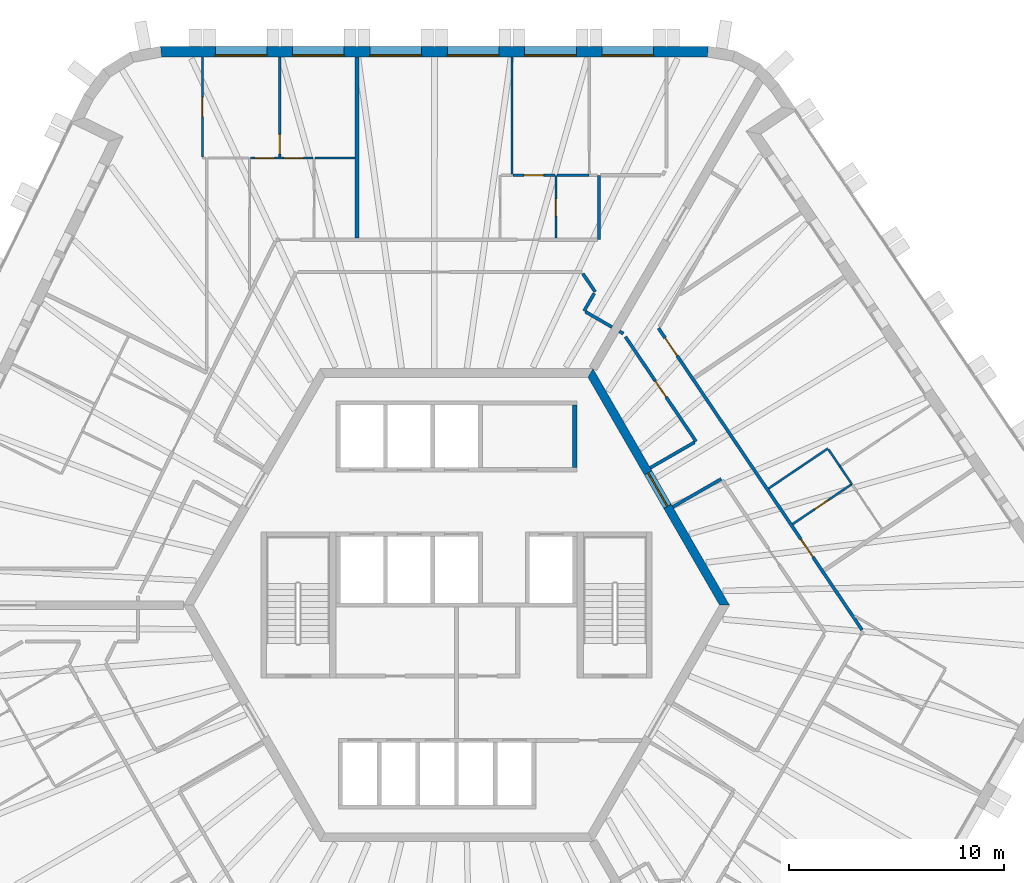
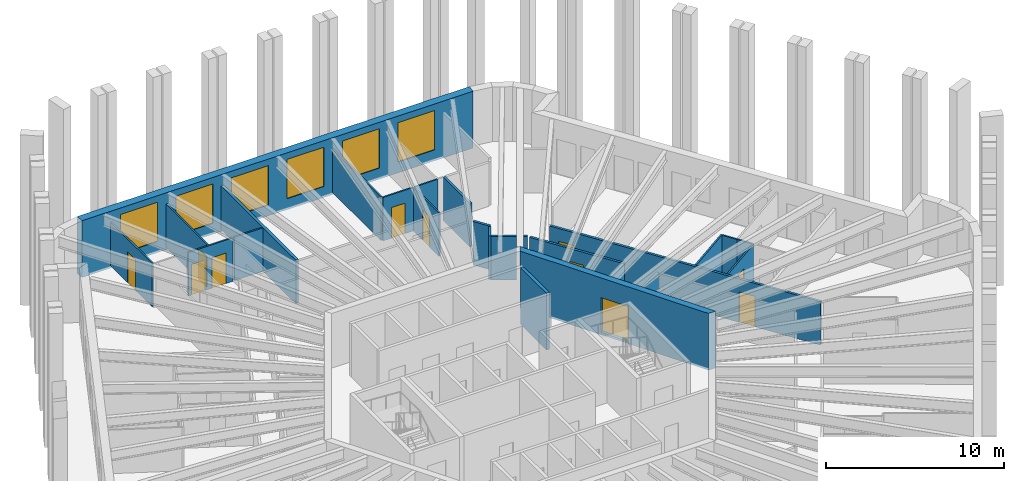
# One storey, part 9 of 13: 25 walls, 11 doors, 6 windows, 17 openings.
"""IFC4 building model written with IfcOpenShell, lengths in metres."""

from ifc_helpers import new_model, si_unit, direction, frame, frame_2d, origin, place, context, subcontext, project, spatial, polyline, rectangle, outline, extrude, material, layer, layer_set, type_object, element, fill, save


model = new_model("IFC4")

# Units and contexts
model_context = context("Model", 3, precision=1e-05, world=origin(), true_north=direction((0.0, 1.0)))
body_context = subcontext(model_context, "Body", "Model", "MODEL_VIEW")
ifc_project = project(units=[si_unit("LENGTHUNIT", "METRE"), si_unit("AREAUNIT", "SQUARE_METRE"), si_unit("VOLUMEUNIT", "CUBIC_METRE"), si_unit("PLANEANGLEUNIT", "RADIAN"), si_unit("MASSUNIT", "GRAM", prefix="KILO")], contexts=[model_context])

# Site, building, storey
site_placement = place(None, origin())
site = spatial("IfcSite", under=ifc_project, at=site_placement, CompositionType="ELEMENT")
building_placement = place(site_placement, origin())
building = spatial("IfcBuilding", under=site, at=building_placement, Name="Tarnside Tower", CompositionType="ELEMENT")
storey_placement = place(building_placement, frame((0.0, 0.0, 303.0)))
storey = spatial("IfcBuildingStorey", under=building, at=storey_placement, Name="L73", CompositionType="ELEMENT", Elevation=303.0)

# Wall, opening, door
ifc_material_1 = material(Name="Gypsum board partition on steel studs", Category="steel")
ifc_layer_1 = layer(ifc_material_1, 0.10009765625)
ifc_layer_set_1 = layer_set([ifc_layer_1], Name="Bathroom wall 100")
wall_type_1 = type_object("IfcWallType", Name="Bathroom wall 100", PredefinedType="PARTITIONING", material=ifc_layer_set_1)
wall_1_placement = place(storey_placement, frame((4.626708984375, 17.074951171875, 0.0), z_axis=(0.0, 0.0, 1.0), x_axis=(0.0, 1.0, 0.0)))
wall_1 = element("IfcWall", 1, at=wall_1_placement, inside=storey, type_object=wall_type_1, Name="Bathroom wall 24088", PredefinedType="PARTITIONING", context=body_context, shape_type="SweptSolid", body=[
    extrude(rectangle(XDim=2.925048828125, YDim=0.10009765625, at=frame_2d((1.46240234375, 0.0))), origin(), (0.0, 0.0, 1.0), 2.98779296875),
])
opening_1_placement = place(wall_1_placement, frame((1.02490234375, 0.0, 0.0)))
opening_1 = element("IfcOpeningElement", 2, at=opening_1_placement, cuts=wall_1, Name="Opening D-B1", PredefinedType="OPENING", context=body_context, shape_type="SweptSolid", body=[
    extrude(rectangle(XDim=0.800048828125, YDim=2.10009765625, at=frame_2d((0.39990234375, 1.050048828125))), frame((0.0, 0.06005859375, 0.0), z_axis=(0.0, -1.0, 0.0), x_axis=(1.0, 0.0, 0.0)), (0.0, 0.0, 1.0), 0.1201171875),
])
ifc_material_2 = material(Name="Timber door leaf", Category="wood")
door_type_1 = type_object("IfcDoorType", Name="Bathroom door 800", OperationType="NOTDEFINED", PredefinedType="DOOR", material=ifc_material_2)
door_1_placement = place(opening_1_placement, origin())
door_1 = element("IfcDoor", 3, at=door_1_placement, inside=storey, type_object=door_type_1, Name="Bathroom door 24002", OperationType="SINGLE_SWING_RIGHT", OverallHeight=2.10009765625, OverallWidth=0.800048828125, PredefinedType="DOOR", context=body_context, shape_type="SweptSolid", body=[
    extrude(rectangle(XDim=0.800048828125, YDim=2.10009765625, at=frame_2d((0.39990234375, 1.050048828125))), frame((0.0, 0.02490234375, 0.0), z_axis=(0.0, -1.0, 0.0), x_axis=(1.0, 0.0, 0.0)), (0.0, 0.0, 1.0), 0.050048828125),
])
fill(opening_1, door_1)

# Walls
wall_2_placement = place(storey_placement, frame((6.17529296875, 20.0, 0.0), z_axis=(0.0, 0.0, 1.0), x_axis=(-1.0, 0.0, 0.0)))
element("IfcWall", 4, at=wall_2_placement, inside=storey, type_object=wall_type_1, Name="Bathroom wall 24091", PredefinedType="PARTITIONING", context=body_context, shape_type="SweptSolid", body=[
    extrude(rectangle(XDim=1.500732421875, YDim=0.10009765625, at=frame_2d((0.75048828125, 0.0))), origin(), (0.0, 0.0, 1.0), 2.98779296875),
])
wall_3_placement = place(storey_placement, frame((-4.71484375, 20.800048828125, 0.0), z_axis=(0.0, 0.0, 1.0), x_axis=(-1.0, 0.0, 0.0)))
element("IfcWall", 5, at=wall_3_placement, inside=storey, type_object=wall_type_1, Name="Bathroom wall 24102", PredefinedType="PARTITIONING", context=body_context, shape_type="SweptSolid", body=[
    extrude(rectangle(XDim=1.862060546875, YDim=0.10009765625, at=frame_2d((0.93115234375, 0.0))), origin(), (0.0, 0.0, 1.0), 2.98779296875),
])
wall_4_placement = place(storey_placement, frame((14.524658203125, 5.4248046875, 0.0), z_axis=(0.0, 0.0, 1.0), x_axis=(0.82903334026, 0.559199178055, 0.0)))
element("IfcWall", 6, at=wall_4_placement, inside=storey, type_object=wall_type_1, Name="Bathroom wall 24159", PredefinedType="PARTITIONING", context=body_context, shape_type="SweptSolid", body=[
    extrude(rectangle(XDim=3.324951171875, YDim=0.10009765625, at=frame_2d((1.66259765625, 0.0))), origin(), (0.0, 0.0, 1.0), 2.98779296875),
])
wall_5_placement = place(storey_placement, frame((17.30908203125, 7.24267578125, 0.0), z_axis=(0.0, 0.0, 1.0), x_axis=(0.559248234521, -0.829000248604, 0.0)))
element("IfcWall", 7, at=wall_5_placement, inside=storey, type_object=wall_type_1, Name="Bathroom wall 24160", PredefinedType="PARTITIONING", context=body_context, shape_type="SweptSolid", body=[
    extrude(rectangle(XDim=0.9521484375, YDim=0.10009765625, at=frame_2d((0.47607421875, 0.0))), origin(), (0.0, 0.0, 1.0), 2.98779296875),
])

# Wall, opening, door
wall_6_placement = place(storey_placement, frame((18.399658203125, 5.6259765625, 0.0), z_axis=(0.0, 0.0, 1.0), x_axis=(-0.829067379225, -0.559148710725, 0.0)))
wall_6 = element("IfcWall", 8, at=wall_6_placement, inside=storey, type_object=wall_type_1, Name="Bathroom wall 24163", PredefinedType="PARTITIONING", context=body_context, shape_type="SweptSolid", body=[
    extrude(rectangle(XDim=3.324951171875, YDim=0.10009765625, at=frame_2d((1.66259765625, 0.0))), origin(), (0.0, 0.0, 1.0), 2.98779296875),
])
opening_2_placement = place(wall_6_placement, frame((1.300048828125, 0.0, 0.0)))
opening_2 = element("IfcOpeningElement", 9, at=opening_2_placement, cuts=wall_6, Name="Opening D-B1", PredefinedType="OPENING", context=body_context, shape_type="SweptSolid", body=[
    extrude(rectangle(XDim=0.800048828125, YDim=2.10009765625, at=frame_2d((0.39990234375, 1.050048828125))), frame((0.0, 0.06005859375, 0.0), z_axis=(0.0, -1.0, 0.0), x_axis=(1.0, 0.0, 0.0)), (0.0, 0.0, 1.0), 0.1201171875),
])
door_2_placement = place(opening_2_placement, origin())
door_2 = element("IfcDoor", 10, at=door_2_placement, inside=storey, type_object=door_type_1, Name="Bathroom door 24055", OperationType="SINGLE_SWING_LEFT", OverallHeight=2.10009765625, OverallWidth=0.800048828125, PredefinedType="DOOR", context=body_context, shape_type="SweptSolid", body=[
    extrude(rectangle(XDim=0.800048828125, YDim=2.10009765625, at=frame_2d((0.39990234375, 1.050048828125))), frame((0.0, 0.02490234375, 0.0), z_axis=(0.0, -1.0, 0.0), x_axis=(1.0, 0.0, 0.0)), (0.0, 0.0, 1.0), 0.050048828125),
])
fill(opening_2, door_2)

# Wall
wall_7_placement = place(storey_placement, frame((18.400634765625, 5.624267578125, 0.0), z_axis=(0.0, 0.0, 1.0), x_axis=(-0.559133879296, 0.829077381806, 0.0)))
element("IfcWall", 11, at=wall_7_placement, inside=storey, type_object=wall_type_1, Name="Bathroom wall 24165", PredefinedType="PARTITIONING", context=body_context, shape_type="SweptSolid", body=[
    extrude(rectangle(XDim=1.002197265625, YDim=0.10009765625, at=frame_2d((0.5009765625, 0.0))), origin(), (0.0, 0.0, 1.0), 2.98779296875),
])

# Wall, opening, door
ifc_material_3 = material(Name="Concrete C60/75", Category="concrete")
ifc_layer_2 = layer(ifc_material_3, 0.39990234375)
ifc_layer_set_2 = layer_set([ifc_layer_2], Name="Core wall Z3 400 C60/75")
wall_type_2 = type_object("IfcWallType", Name="Core wall Z3 400 C60/75", PredefinedType="SHEAR", material=ifc_layer_set_2)
wall_8_placement = place(storey_placement, frame((12.470703125, 0.0, -0.14990234375), z_axis=(0.0, 0.0, 1.0), x_axis=(-0.499996419489, 0.866027470984, 0.0)))
wall_8 = element("IfcWall", 12, at=wall_8_placement, inside=storey, type_object=wall_type_2, Name="L73 core wall face 6", PredefinedType="SHEAR", context=body_context, shape_type="SweptSolid", body=[
    extrude(outline(polyline([(-0.115478515625, -0.199951171875), (12.586181640625, -0.199951171875), (12.355224609375, 0.199951171875), (0.115478515625, 0.199951171875), (-0.115478515625, -0.199951171875)])), origin(), (0.0, 0.0, 1.0), 3.89990234375),
])
opening_3_placement = place(wall_8_placement, frame((5.306396484375, 0.0, 0.14990234375)))
opening_3 = element("IfcOpeningElement", 13, at=opening_3_placement, cuts=wall_8, Name="Opening CD-LOB", PredefinedType="OPENING", context=body_context, shape_type="SweptSolid", body=[
    extrude(rectangle(XDim=1.800048828125, YDim=2.39990234375, at=frame_2d((0.89990234375, 1.199951171875))), frame((0.0, 0.2099609375, 0.0), z_axis=(0.0, -1.0, 0.0), x_axis=(1.0, 0.0, 0.0)), (0.0, 0.0, 1.0), 0.419921875),
])
ifc_material_4 = material(Name="Steel fire door", Category="steel")
door_type_2 = type_object("IfcDoorType", Name="Lobby double door FD30S 1800x2400", OperationType="NOTDEFINED", PredefinedType="DOOR", material=ifc_material_4)
door_3_placement = place(opening_3_placement, origin())
door_3 = element("IfcDoor", 14, at=door_3_placement, inside=storey, type_object=door_type_2, Name="L73 core door P2", OperationType="DOUBLE_DOOR_SINGLE_SWING", OverallHeight=2.39990234375, OverallWidth=1.800048828125, PredefinedType="DOOR", context=body_context, shape_type="SweptSolid", body=[
    extrude(rectangle(XDim=1.800048828125, YDim=2.39990234375, at=frame_2d((0.89990234375, 1.199951171875))), frame((0.0, 0.02490234375, 0.0), z_axis=(0.0, -1.0, 0.0), x_axis=(1.0, 0.0, 0.0)), (0.0, 0.0, 1.0), 0.050048828125),
])
fill(opening_3, door_3)

# Walls
ifc_layer_3 = layer(ifc_material_1, 0.14990234375)
ifc_layer_set_3 = layer_set([ifc_layer_3], Name="Corridor wall 150 EI 60")
wall_type_3 = type_object("IfcWallType", Name="Corridor wall 150 EI 60", PredefinedType="PARTITIONING", material=ifc_layer_set_3)
wall_9_placement = place(storey_placement, frame((6.626708984375, 20.0, 0.0), z_axis=(0.0, 0.0, 1.0), x_axis=(0.0, -1.0, 0.0)))
element("IfcWall", 15, at=wall_9_placement, inside=storey, type_object=wall_type_3, Name="Corridor wall 24003", PredefinedType="PARTITIONING", context=body_context, shape_type="SweptSolid", body=[
    extrude(rectangle(XDim=3.0, YDim=0.14990234375, at=frame_2d((1.5, 0.0))), origin(), (0.0, 0.0, 1.0), 2.98779296875),
])
wall_10_placement = place(storey_placement, frame((5.879638671875, 15.425048828125, 0.0), z_axis=(0.0, 0.0, 1.0), x_axis=(0.559202631314, -0.829031010959, 0.0)))
element("IfcWall", 16, at=wall_10_placement, inside=storey, type_object=wall_type_3, Name="Corridor wall 24020", PredefinedType="PARTITIONING", context=body_context, shape_type="SweptSolid", body=[
    extrude(rectangle(XDim=1.024169921875, YDim=0.14990234375, at=frame_2d((0.51220703125, 0.0))), origin(), (0.0, 0.0, 1.0), 2.98779296875),
])
wall_11_placement = place(storey_placement, frame((6.41064453125, 14.503662109375, 0.0), z_axis=(0.0, 0.0, 1.0), x_axis=(-0.499998034377, -0.866026538634, 0.0)))
element("IfcWall", 17, at=wall_11_placement, inside=storey, type_object=wall_type_3, Name="Corridor wall 24021", PredefinedType="PARTITIONING", context=body_context, shape_type="SweptSolid", body=[
    extrude(rectangle(XDim=0.94580078125, YDim=0.14990234375, at=frame_2d((0.472900390625, 0.0))), origin(), (0.0, 0.0, 1.0), 2.98779296875),
])
wall_12_placement = place(storey_placement, frame((6.002685546875, 13.647216796875, 0.0), z_axis=(0.0, 0.0, 1.0), x_axis=(0.865988727248, -0.500063520245, 0.0)))
element("IfcWall", 18, at=wall_12_placement, inside=storey, type_object=wall_type_3, Name="Corridor wall 24022", PredefinedType="PARTITIONING", context=body_context, shape_type="SweptSolid", body=[
    extrude(rectangle(XDim=1.425048828125, YDim=0.14990234375, at=frame_2d((0.71240234375, 0.0))), origin(), (0.0, 0.0, 1.0), 2.98779296875),
])

# Wall, openings, doors
wall_13_placement = place(storey_placement, frame((18.87451171875, -1.158203125, 0.0), z_axis=(0.0, 0.0, 1.0), x_axis=(-0.55919880344, 0.829033592945, 0.0)))
wall_13 = element("IfcWall", 19, at=wall_13_placement, inside=storey, type_object=wall_type_3, Name="Corridor wall 24060", PredefinedType="PARTITIONING", context=body_context, shape_type="SweptSolid", body=[
    extrude(rectangle(XDim=16.939208984375, YDim=0.14990234375, at=frame_2d((8.4697265625, 0.0))), origin(), (0.0, 0.0, 1.0), 2.98779296875),
])
opening_4_placement = place(wall_13_placement, frame((4.090087890625, 0.0, 0.0)))
opening_4 = element("IfcOpeningElement", 20, at=opening_4_placement, cuts=wall_13, Name="Opening D-E1", PredefinedType="OPENING", context=body_context, shape_type="SweptSolid", body=[
    extrude(rectangle(XDim=1.0, YDim=2.10009765625, at=frame_2d((0.5, 1.050048828125))), frame((0.0, 0.0849609375, 0.0), z_axis=(0.0, -1.0, 0.0), x_axis=(1.0, 0.0, 0.0)), (0.0, 0.0, 1.0), 0.169921875),
])
opening_5_placement = place(wall_13_placement, frame((15.39013671875, 0.0, 0.0)))
opening_5 = element("IfcOpeningElement", 21, at=opening_5_placement, cuts=wall_13, Name="Opening D-E1", PredefinedType="OPENING", context=body_context, shape_type="SweptSolid", body=[
    extrude(rectangle(XDim=1.0, YDim=2.10009765625, at=frame_2d((0.5, 1.050048828125))), frame((0.0, 0.0849609375, 0.0), z_axis=(0.0, -1.0, 0.0), x_axis=(1.0, 0.0, 0.0)), (0.0, 0.0, 1.0), 0.169921875),
])
door_type_3 = type_object("IfcDoorType", Name="Unit entrance door 1000 FD30S", OperationType="NOTDEFINED", PredefinedType="DOOR", material=ifc_material_2)
door_4_placement = place(opening_4_placement, origin())
door_4 = element("IfcDoor", 22, at=door_4_placement, inside=storey, type_object=door_type_3, Name="Unit door 24054", OperationType="SINGLE_SWING_LEFT", OverallHeight=2.10009765625, OverallWidth=1.0, PredefinedType="DOOR", context=body_context, shape_type="SweptSolid", body=[
    extrude(rectangle(XDim=1.0, YDim=2.10009765625, at=frame_2d((0.5, 1.050048828125))), frame((0.0, 0.02490234375, 0.0), z_axis=(0.0, -1.0, 0.0), x_axis=(1.0, 0.0, 0.0)), (0.0, 0.0, 1.0), 0.050048828125),
])
fill(opening_4, door_4)
door_5_placement = place(opening_5_placement, origin())
door_5 = element("IfcDoor", 23, at=door_5_placement, inside=storey, type_object=door_type_3, Name="Unit door 24059", OperationType="SINGLE_SWING_LEFT", OverallHeight=2.10009765625, OverallWidth=1.0, PredefinedType="DOOR", context=body_context, shape_type="SweptSolid", body=[
    extrude(rectangle(XDim=1.0, YDim=2.10009765625, at=frame_2d((0.5, 1.050048828125))), frame((0.0, 0.02490234375, 0.0), z_axis=(0.0, -1.0, 0.0), x_axis=(1.0, 0.0, 0.0)), (0.0, 0.0, 1.0), 0.050048828125),
])
fill(opening_5, door_5)

# Walls
wall_14_placement = place(storey_placement, frame((10.065673828125, 4.565673828125, 0.0), z_axis=(0.0, 0.0, 1.0), x_axis=(0.866034402474, 0.499984413489, 0.0)))
element("IfcWall", 24, at=wall_14_placement, inside=storey, type_object=wall_type_3, Name="Corridor wall 24071", PredefinedType="PARTITIONING", context=body_context, shape_type="SweptSolid", body=[
    extrude(rectangle(XDim=2.6083984375, YDim=0.14990234375, at=frame_2d((1.30419921875, 0.0))), origin(), (0.0, 0.0, 1.0), 2.98779296875),
])
wall_15_placement = place(storey_placement, frame((7.583251953125, 12.734619140625, 0.0), z_axis=(0.0, 0.0, 1.0), x_axis=(0.866088799389, -0.499890179513, 0.0)))
element("IfcWall", 25, at=wall_15_placement, inside=storey, type_object=wall_type_3, Name="Corridor wall 24080", PredefinedType="PARTITIONING", context=body_context, shape_type="SweptSolid", body=[
    extrude(rectangle(XDim=0.2099609375, YDim=0.14990234375, at=frame_2d((0.10498046875, 0.0))), origin(), (0.0, 0.0, 1.0), 2.98779296875),
])

# Wall, opening, door
wall_16_placement = place(storey_placement, frame((7.86083984375, 12.48779296875, 0.0), z_axis=(0.0, 0.0, 1.0), x_axis=(0.559178186788, -0.829047498893, 0.0)))
wall_16 = element("IfcWall", 26, at=wall_16_placement, inside=storey, type_object=wall_type_3, Name="Corridor wall 24081", PredefinedType="PARTITIONING", context=body_context, shape_type="SweptSolid", body=[
    extrude(rectangle(XDim=5.877685546875, YDim=0.14990234375, at=frame_2d((2.93896484375, 0.0))), origin(), (0.0, 0.0, 1.0), 2.98779296875),
])
opening_6_placement = place(wall_16_placement, frame((2.48876953125, 0.0, 0.0)))
opening_6 = element("IfcOpeningElement", 27, at=opening_6_placement, cuts=wall_16, Name="Opening D-S1", PredefinedType="OPENING", context=body_context, shape_type="SweptSolid", body=[
    extrude(rectangle(XDim=0.89990234375, YDim=2.10009765625, at=frame_2d((0.449951171875, 1.050048828125))), frame((0.0, 0.0849609375, 0.0), z_axis=(0.0, -1.0, 0.0), x_axis=(1.0, 0.0, 0.0)), (0.0, 0.0, 1.0), 0.169921875),
])
door_type_4 = type_object("IfcDoorType", Name="Service room door 900 FD30S", OperationType="NOTDEFINED", PredefinedType="DOOR", material=ifc_material_2)
door_6_placement = place(opening_6_placement, origin())
door_6 = element("IfcDoor", 28, at=door_6_placement, inside=storey, type_object=door_type_4, Name="Service door 24069", OperationType="SINGLE_SWING_RIGHT", OverallHeight=2.10009765625, OverallWidth=0.89990234375, PredefinedType="DOOR", context=body_context, shape_type="SweptSolid", body=[
    extrude(rectangle(XDim=0.89990234375, YDim=2.10009765625, at=frame_2d((0.449951171875, 1.050048828125))), frame((0.0, 0.02490234375, 0.0), z_axis=(0.0, -1.0, 0.0), x_axis=(1.0, 0.0, 0.0)), (0.0, 0.0, 1.0), 0.050048828125),
])
fill(opening_6, door_6)

# Walls
wall_17_placement = place(storey_placement, frame((11.082275390625, 7.57763671875, 0.0), z_axis=(0.0, 0.0, 1.0), x_axis=(-0.865993065409, -0.500056007527, 0.0)))
element("IfcWall", 29, at=wall_17_placement, inside=storey, type_object=wall_type_3, Name="Corridor wall 24082", PredefinedType="PARTITIONING", context=body_context, shape_type="SweptSolid", body=[
    extrude(rectangle(XDim=2.386474609375, YDim=0.14990234375, at=frame_2d((1.193359375, 0.0))), origin(), (0.0, 0.0, 1.0), 2.98779296875),
])
ifc_layer_4 = layer(ifc_material_1, 0.179931640625)
ifc_layer_set_4 = layer_set([ifc_layer_4], Name="Demising wall 180 EI 60")
wall_type_4 = type_object("IfcWallType", Name="Demising wall 180 EI 60", PredefinedType="PARTITIONING", material=ifc_layer_set_4)
wall_18_placement = place(storey_placement, frame((-4.624755859375, 25.5, 0.0), z_axis=(0.0, 0.0, 1.0), x_axis=(0.0, -1.0, 0.0)))
element("IfcWall", 30, at=wall_18_placement, inside=storey, type_object=wall_type_4, Name="Demising wall 24086", PredefinedType="PARTITIONING", context=body_context, shape_type="SweptSolid", body=[
    extrude(rectangle(XDim=8.425048828125, YDim=0.179931640625, at=frame_2d((4.21240234375, 0.0))), origin(), (0.0, 0.0, 1.0), 2.98779296875),
])
ifc_material_5 = material(Name="Concrete C40/50", Category="concrete")
ifc_layer_5 = layer(ifc_material_5, 0.199951171875)
ifc_layer_set_5 = layer_set([ifc_layer_5], Name="Lift shaft wall 200 C40/50")
wall_type_5 = type_object("IfcWallType", Name="Lift shaft wall 200 C40/50", PredefinedType="SHEAR", material=ifc_layer_set_5)
wall_19_placement = place(storey_placement, frame((5.5, 6.39990234375, -0.25), z_axis=(0.0, 0.0, 1.0), x_axis=(0.0, 1.0, 0.0)))
element("IfcWall", 31, at=wall_19_placement, inside=storey, type_object=wall_type_5, Name="L73 lift shaft partition R16", PredefinedType="SHEAR", context=body_context, shape_type="SweptSolid", body=[
    extrude(rectangle(XDim=2.900146484375, YDim=0.199951171875, at=frame_2d((1.4501953125, 0.0))), origin(), (0.0, 0.0, 1.0), 3.89990234375),
])
ifc_layer_6 = layer(ifc_material_1, 0.10009765625)
ifc_layer_set_6 = layer_set([ifc_layer_6], Name="Partition 100")
wall_type_6 = type_object("IfcWallType", Name="Partition 100", PredefinedType="PARTITIONING", material=ifc_layer_set_6)
wall_20_placement = place(storey_placement, frame((2.5751953125, 20.050048828125, 0.0), z_axis=(0.0, 0.0, 1.0), x_axis=(0.0, 1.0, 0.0)))
element("IfcWall", 32, at=wall_20_placement, inside=storey, type_object=wall_type_6, Name="Partition wall 24085", PredefinedType="PARTITIONING", context=body_context, shape_type="SweptSolid", body=[
    extrude(rectangle(XDim=5.449951171875, YDim=0.10009765625, at=frame_2d((2.72509765625, 0.0))), origin(), (0.0, 0.0, 1.0), 2.98779296875),
])

# Wall, opening, door
wall_21_placement = place(storey_placement, frame((4.57861328125, 20.0, 0.0), z_axis=(0.0, 0.0, 1.0), x_axis=(-1.0, 0.0, 0.0)))
wall_21 = element("IfcWall", 33, at=wall_21_placement, inside=storey, type_object=wall_type_6, Name="Partition wall 24089", PredefinedType="PARTITIONING", context=body_context, shape_type="SweptSolid", body=[
    extrude(rectangle(XDim=1.953369140625, YDim=0.10009765625, at=frame_2d((0.9765625, 0.0))), origin(), (0.0, 0.0, 1.0), 2.98779296875),
])
opening_7_placement = place(wall_21_placement, frame((0.527587890625, 0.0, 0.0)))
opening_7 = element("IfcOpeningElement", 34, at=opening_7_placement, cuts=wall_21, Name="Opening D-I1", PredefinedType="OPENING", context=body_context, shape_type="SweptSolid", body=[
    extrude(rectangle(XDim=0.89990234375, YDim=2.10009765625, at=frame_2d((0.449951171875, 1.050048828125))), frame((0.0, 0.06005859375, 0.0), z_axis=(0.0, -1.0, 0.0), x_axis=(1.0, 0.0, 0.0)), (0.0, 0.0, 1.0), 0.1201171875),
])
door_type_5 = type_object("IfcDoorType", Name="Internal door 900", OperationType="NOTDEFINED", PredefinedType="DOOR", material=ifc_material_2)
door_7_placement = place(opening_7_placement, origin())
door_7 = element("IfcDoor", 35, at=door_7_placement, inside=storey, type_object=door_type_5, Name="Internal door 24007", OperationType="SINGLE_SWING_RIGHT", OverallHeight=2.10009765625, OverallWidth=0.89990234375, PredefinedType="DOOR", context=body_context, shape_type="SweptSolid", body=[
    extrude(rectangle(XDim=0.89990234375, YDim=2.10009765625, at=frame_2d((0.449951171875, 1.050048828125))), frame((0.0, 0.02490234375, 0.0), z_axis=(0.0, -1.0, 0.0), x_axis=(1.0, 0.0, 0.0)), (0.0, 0.0, 1.0), 0.050048828125),
])
fill(opening_7, door_7)

wall_22_placement = place(storey_placement, frame((-11.82470703125, 20.85009765625, 0.0), z_axis=(0.0, 0.0, 1.0), x_axis=(0.0, 1.0, 0.0)))
wall_22 = element("IfcWall", 36, at=wall_22_placement, inside=storey, type_object=wall_type_6, Name="Partition wall 24094", PredefinedType="PARTITIONING", context=body_context, shape_type="SweptSolid", body=[
    extrude(rectangle(XDim=4.64990234375, YDim=0.10009765625, at=frame_2d((2.324951171875, 0.0))), origin(), (0.0, 0.0, 1.0), 2.98779296875),
])
opening_8_placement = place(wall_22_placement, frame((1.875, 0.0, 0.0)))
opening_8 = element("IfcOpeningElement", 37, at=opening_8_placement, cuts=wall_22, Name="Opening D-I1", PredefinedType="OPENING", context=body_context, shape_type="SweptSolid", body=[
    extrude(rectangle(XDim=0.89990234375, YDim=2.10009765625, at=frame_2d((0.449951171875, 1.050048828125))), frame((0.0, 0.06005859375, 0.0), z_axis=(0.0, -1.0, 0.0), x_axis=(1.0, 0.0, 0.0)), (0.0, 0.0, 1.0), 0.1201171875),
])
door_8_placement = place(opening_8_placement, origin())
door_8 = element("IfcDoor", 38, at=door_8_placement, inside=storey, type_object=door_type_5, Name="Internal door 24061", OperationType="SINGLE_SWING_LEFT", OverallHeight=2.10009765625, OverallWidth=0.89990234375, PredefinedType="DOOR", context=body_context, shape_type="SweptSolid", body=[
    extrude(rectangle(XDim=0.89990234375, YDim=2.10009765625, at=frame_2d((0.449951171875, 1.050048828125))), frame((0.0, 0.02490234375, 0.0), z_axis=(0.0, -1.0, 0.0), x_axis=(1.0, 0.0, 0.0)), (0.0, 0.0, 1.0), 0.050048828125),
])
fill(opening_8, door_8)

# Wall, openings, doors
wall_23_placement = place(storey_placement, frame((-6.6728515625, 20.800048828125, 0.0), z_axis=(0.0, 0.0, 1.0), x_axis=(-1.0, 0.0, 0.0)))
wall_23 = element("IfcWall", 39, at=wall_23_placement, inside=storey, type_object=wall_type_6, Name="Partition wall 24099", PredefinedType="PARTITIONING", context=body_context, shape_type="SweptSolid", body=[
    extrude(rectangle(XDim=2.904052734375, YDim=0.10009765625, at=frame_2d((1.4521484375, 0.0))), origin(), (0.0, 0.0, 1.0), 2.98779296875),
])
opening_9_placement = place(wall_23_placement, frame((0.451904296875, 0.0, 0.0)))
opening_9 = element("IfcOpeningElement", 40, at=opening_9_placement, cuts=wall_23, Name="Opening D-I1", PredefinedType="OPENING", context=body_context, shape_type="SweptSolid", body=[
    extrude(rectangle(XDim=0.89990234375, YDim=2.10009765625, at=frame_2d((0.449951171875, 1.050048828125))), frame((0.0, 0.06005859375, 0.0), z_axis=(0.0, -1.0, 0.0), x_axis=(1.0, 0.0, 0.0)), (0.0, 0.0, 1.0), 0.1201171875),
])
opening_10_placement = place(wall_23_placement, frame((1.802001953125, 0.0, 0.0)))
opening_10 = element("IfcOpeningElement", 41, at=opening_10_placement, cuts=wall_23, Name="Opening D-I1", PredefinedType="OPENING", context=body_context, shape_type="SweptSolid", body=[
    extrude(rectangle(XDim=0.89990234375, YDim=2.10009765625, at=frame_2d((0.449951171875, 1.050048828125))), frame((0.0, 0.06005859375, 0.0), z_axis=(0.0, -1.0, 0.0), x_axis=(1.0, 0.0, 0.0)), (0.0, 0.0, 1.0), 0.1201171875),
])
door_9_placement = place(opening_9_placement, origin())
door_9 = element("IfcDoor", 42, at=door_9_placement, inside=storey, type_object=door_type_5, Name="Internal door 24011", OperationType="SINGLE_SWING_LEFT", OverallHeight=2.10009765625, OverallWidth=0.89990234375, PredefinedType="DOOR", context=body_context, shape_type="SweptSolid", body=[
    extrude(rectangle(XDim=0.89990234375, YDim=2.10009765625, at=frame_2d((0.449951171875, 1.050048828125))), frame((0.0, 0.02490234375, 0.0), z_axis=(0.0, -1.0, 0.0), x_axis=(1.0, 0.0, 0.0)), (0.0, 0.0, 1.0), 0.050048828125),
])
fill(opening_9, door_9)
door_10_placement = place(opening_10_placement, origin())
door_10 = element("IfcDoor", 43, at=door_10_placement, inside=storey, type_object=door_type_5, Name="Internal door 24015", OperationType="SINGLE_SWING_LEFT", OverallHeight=2.10009765625, OverallWidth=0.89990234375, PredefinedType="DOOR", context=body_context, shape_type="SweptSolid", body=[
    extrude(rectangle(XDim=0.89990234375, YDim=2.10009765625, at=frame_2d((0.449951171875, 1.050048828125))), frame((0.0, 0.02490234375, 0.0), z_axis=(0.0, -1.0, 0.0), x_axis=(1.0, 0.0, 0.0)), (0.0, 0.0, 1.0), 0.050048828125),
])
fill(opening_10, door_10)

# Wall, opening, door
wall_24_placement = place(storey_placement, frame((-8.224853515625, 25.5, 0.0), z_axis=(0.0, 0.0, 1.0), x_axis=(0.0, -1.0, 0.0)))
wall_24 = element("IfcWall", 44, at=wall_24_placement, inside=storey, type_object=wall_type_6, Name="Partition wall 24103", PredefinedType="PARTITIONING", context=body_context, shape_type="SweptSolid", body=[
    extrude(rectangle(XDim=4.64990234375, YDim=0.10009765625, at=frame_2d((2.324951171875, 0.0))), origin(), (0.0, 0.0, 1.0), 2.98779296875),
])
opening_11_placement = place(wall_24_placement, frame((3.60009765625, 0.0, 0.0)))
opening_11 = element("IfcOpeningElement", 45, at=opening_11_placement, cuts=wall_24, Name="Opening D-I1", PredefinedType="OPENING", context=body_context, shape_type="SweptSolid", body=[
    extrude(rectangle(XDim=0.89990234375, YDim=2.10009765625, at=frame_2d((0.449951171875, 1.050048828125))), frame((0.0, 0.06005859375, 0.0), z_axis=(0.0, -1.0, 0.0), x_axis=(1.0, 0.0, 0.0)), (0.0, 0.0, 1.0), 0.1201171875),
])
door_11_placement = place(opening_11_placement, origin())
door_11 = element("IfcDoor", 46, at=door_11_placement, inside=storey, type_object=door_type_5, Name="Internal door 24014", OperationType="SINGLE_SWING_RIGHT", OverallHeight=2.10009765625, OverallWidth=0.89990234375, PredefinedType="DOOR", context=body_context, shape_type="SweptSolid", body=[
    extrude(rectangle(XDim=0.89990234375, YDim=2.10009765625, at=frame_2d((0.449951171875, 1.050048828125))), frame((0.0, 0.02490234375, 0.0), z_axis=(0.0, -1.0, 0.0), x_axis=(1.0, 0.0, 0.0)), (0.0, 0.0, 1.0), 0.050048828125),
])
fill(opening_11, door_11)

# Wall, openings, windows
ifc_material_6 = material(Name="Facing brick", Category="masonry")
ifc_layer_7 = layer(ifc_material_6, 0.10205078125)
ifc_material_7 = material(Name="Concrete C60/75 precast", Category="concrete")
ifc_layer_8 = layer(ifc_material_7, 0.298095703125)
ifc_material_8 = material(Name="Mineral wool insulation")
ifc_layer_9 = layer(ifc_material_8, 0.10009765625)
ifc_layer_set_7 = layer_set([ifc_layer_7, ifc_layer_8, ifc_layer_9], Name="Tube wall 500 brick faced")
wall_type_7 = type_object("IfcWallType", Name="Tube wall 500 brick faced", PredefinedType="SOLIDWALL", material=ifc_layer_set_7)
wall_25_placement = place(storey_placement, frame((11.697509765625, 25.75, -0.14990234375), z_axis=(0.0, 0.0, 1.0), x_axis=(-1.0, 0.0, 0.0)))
wall_25 = element("IfcWall", 47, at=wall_25_placement, inside=storey, type_object=wall_type_7, Name="Tube wall L73 F1 flush 00", PredefinedType="SOLIDWALL", context=body_context, shape_type="SweptSolid", body=[
    extrude(outline(polyline([(-0.0205078125, -0.25), (25.468017578125, -0.25), (25.421142578125, 0.25), (0.0205078125, 0.25), (-0.0205078125, -0.25)])), origin(), (0.0, 0.0, 1.0), 3.89990234375),
])
opening_12_placement = place(wall_25_placement, frame((2.5224609375, 0.0, 0.75)))
opening_12 = element("IfcOpeningElement", 48, at=opening_12_placement, cuts=wall_25, Name="Opening WR", PredefinedType="OPENING", context=body_context, shape_type="SweptSolid", body=[
    extrude(rectangle(XDim=2.39990234375, YDim=2.699951171875, at=frame_2d((1.199951171875, 1.35009765625))), frame((0.0, 0.260009765625, 0.0), z_axis=(0.0, -1.0, 0.0), x_axis=(1.0, 0.0, 0.0)), (0.0, 0.0, 1.0), 0.52001953125),
])
opening_13_placement = place(wall_25_placement, frame((6.122314453125, 0.0, 0.75)))
opening_13 = element("IfcOpeningElement", 49, at=opening_13_placement, cuts=wall_25, Name="Opening WR", PredefinedType="OPENING", context=body_context, shape_type="SweptSolid", body=[
    extrude(rectangle(XDim=2.39990234375, YDim=2.699951171875, at=frame_2d((1.199951171875, 1.35009765625))), frame((0.0, 0.260009765625, 0.0), z_axis=(0.0, -1.0, 0.0), x_axis=(1.0, 0.0, 0.0)), (0.0, 0.0, 1.0), 0.52001953125),
])
opening_14_placement = place(wall_25_placement, frame((9.722412109375, 0.0, 0.75)))
opening_14 = element("IfcOpeningElement", 50, at=opening_14_placement, cuts=wall_25, Name="Opening WR", PredefinedType="OPENING", context=body_context, shape_type="SweptSolid", body=[
    extrude(rectangle(XDim=2.39990234375, YDim=2.699951171875, at=frame_2d((1.199951171875, 1.35009765625))), frame((0.0, 0.260009765625, 0.0), z_axis=(0.0, -1.0, 0.0), x_axis=(1.0, 0.0, 0.0)), (0.0, 0.0, 1.0), 0.52001953125),
])
opening_15_placement = place(wall_25_placement, frame((13.322509765625, 0.0, 0.75)))
opening_15 = element("IfcOpeningElement", 51, at=opening_15_placement, cuts=wall_25, Name="Opening WR", PredefinedType="OPENING", context=body_context, shape_type="SweptSolid", body=[
    extrude(rectangle(XDim=2.39990234375, YDim=2.699951171875, at=frame_2d((1.199951171875, 1.35009765625))), frame((0.0, 0.260009765625, 0.0), z_axis=(0.0, -1.0, 0.0), x_axis=(1.0, 0.0, 0.0)), (0.0, 0.0, 1.0), 0.52001953125),
])
opening_16_placement = place(wall_25_placement, frame((16.92236328125, 0.0, 0.75)))
opening_16 = element("IfcOpeningElement", 52, at=opening_16_placement, cuts=wall_25, Name="Opening WR", PredefinedType="OPENING", context=body_context, shape_type="SweptSolid", body=[
    extrude(rectangle(XDim=2.39990234375, YDim=2.699951171875, at=frame_2d((1.199951171875, 1.35009765625))), frame((0.0, 0.260009765625, 0.0), z_axis=(0.0, -1.0, 0.0), x_axis=(1.0, 0.0, 0.0)), (0.0, 0.0, 1.0), 0.52001953125),
])
opening_17_placement = place(wall_25_placement, frame((20.5224609375, 0.0, 0.75)))
opening_17 = element("IfcOpeningElement", 53, at=opening_17_placement, cuts=wall_25, Name="Opening WR", PredefinedType="OPENING", context=body_context, shape_type="SweptSolid", body=[
    extrude(rectangle(XDim=2.39990234375, YDim=2.699951171875, at=frame_2d((1.199951171875, 1.35009765625))), frame((0.0, 0.260009765625, 0.0), z_axis=(0.0, -1.0, 0.0), x_axis=(1.0, 0.0, 0.0)), (0.0, 0.0, 1.0), 0.52001953125),
])
ifc_material_9 = material(Name="Aluminium-framed double glazing", Category="aluminium")
window_type = type_object("IfcWindowType", Name="Residence window 2400 x 2700", PartitioningType="DOUBLE_PANEL_VERTICAL", PredefinedType="WINDOW", material=ifc_material_9)
window_1_placement = place(opening_12_placement, frame((0.0, 0.179931640625, 0.0)))
window_1 = element("IfcWindow", 54, at=window_1_placement, inside=storey, type_object=window_type, Name="E.WN.L73.F1.00", OverallHeight=2.699951171875, OverallWidth=2.39990234375, PartitioningType="DOUBLE_PANEL_VERTICAL", PredefinedType="WINDOW", context=body_context, shape_type="SweptSolid", body=[
    extrude(rectangle(XDim=2.39990234375, YDim=2.699951171875, at=frame_2d((1.199951171875, 1.35009765625))), frame((0.0, 0.030029296875, 0.0), z_axis=(0.0, -1.0, 0.0), x_axis=(1.0, 0.0, 0.0)), (0.0, 0.0, 1.0), 0.06005859375),
])
fill(opening_12, window_1)
window_2_placement = place(opening_13_placement, frame((0.0, 0.179931640625, 0.0)))
window_2 = element("IfcWindow", 55, at=window_2_placement, inside=storey, type_object=window_type, Name="E.WN.L73.F1.01", OverallHeight=2.699951171875, OverallWidth=2.39990234375, PartitioningType="DOUBLE_PANEL_VERTICAL", PredefinedType="WINDOW", context=body_context, shape_type="SweptSolid", body=[
    extrude(rectangle(XDim=2.39990234375, YDim=2.699951171875, at=frame_2d((1.199951171875, 1.35009765625))), frame((0.0, 0.030029296875, 0.0), z_axis=(0.0, -1.0, 0.0), x_axis=(1.0, 0.0, 0.0)), (0.0, 0.0, 1.0), 0.06005859375),
])
fill(opening_13, window_2)
window_3_placement = place(opening_14_placement, frame((0.0, 0.179931640625, 0.0)))
window_3 = element("IfcWindow", 56, at=window_3_placement, inside=storey, type_object=window_type, Name="E.WN.L73.F1.02", OverallHeight=2.699951171875, OverallWidth=2.39990234375, PartitioningType="DOUBLE_PANEL_VERTICAL", PredefinedType="WINDOW", context=body_context, shape_type="SweptSolid", body=[
    extrude(rectangle(XDim=2.39990234375, YDim=2.699951171875, at=frame_2d((1.199951171875, 1.35009765625))), frame((0.0, 0.030029296875, 0.0), z_axis=(0.0, -1.0, 0.0), x_axis=(1.0, 0.0, 0.0)), (0.0, 0.0, 1.0), 0.06005859375),
])
fill(opening_14, window_3)
window_4_placement = place(opening_15_placement, frame((0.0, 0.179931640625, 0.0)))
window_4 = element("IfcWindow", 57, at=window_4_placement, inside=storey, type_object=window_type, Name="E.WN.L73.F1.03", OverallHeight=2.699951171875, OverallWidth=2.39990234375, PartitioningType="DOUBLE_PANEL_VERTICAL", PredefinedType="WINDOW", context=body_context, shape_type="SweptSolid", body=[
    extrude(rectangle(XDim=2.39990234375, YDim=2.699951171875, at=frame_2d((1.199951171875, 1.35009765625))), frame((0.0, 0.030029296875, 0.0), z_axis=(0.0, -1.0, 0.0), x_axis=(1.0, 0.0, 0.0)), (0.0, 0.0, 1.0), 0.06005859375),
])
fill(opening_15, window_4)
window_5_placement = place(opening_16_placement, frame((0.0, 0.179931640625, 0.0)))
window_5 = element("IfcWindow", 58, at=window_5_placement, inside=storey, type_object=window_type, Name="E.WN.L73.F1.04", OverallHeight=2.699951171875, OverallWidth=2.39990234375, PartitioningType="DOUBLE_PANEL_VERTICAL", PredefinedType="WINDOW", context=body_context, shape_type="SweptSolid", body=[
    extrude(rectangle(XDim=2.39990234375, YDim=2.699951171875, at=frame_2d((1.199951171875, 1.35009765625))), frame((0.0, 0.030029296875, 0.0), z_axis=(0.0, -1.0, 0.0), x_axis=(1.0, 0.0, 0.0)), (0.0, 0.0, 1.0), 0.06005859375),
])
fill(opening_16, window_5)
window_6_placement = place(opening_17_placement, frame((0.0, 0.179931640625, 0.0)))
window_6 = element("IfcWindow", 59, at=window_6_placement, inside=storey, type_object=window_type, Name="E.WN.L73.F1.05", OverallHeight=2.699951171875, OverallWidth=2.39990234375, PartitioningType="DOUBLE_PANEL_VERTICAL", PredefinedType="WINDOW", context=body_context, shape_type="SweptSolid", body=[
    extrude(rectangle(XDim=2.39990234375, YDim=2.699951171875, at=frame_2d((1.199951171875, 1.35009765625))), frame((0.0, 0.030029296875, 0.0), z_axis=(0.0, -1.0, 0.0), x_axis=(1.0, 0.0, 0.0)), (0.0, 0.0, 1.0), 0.06005859375),
])
fill(opening_17, window_6)

save(model, "model.ifc")
